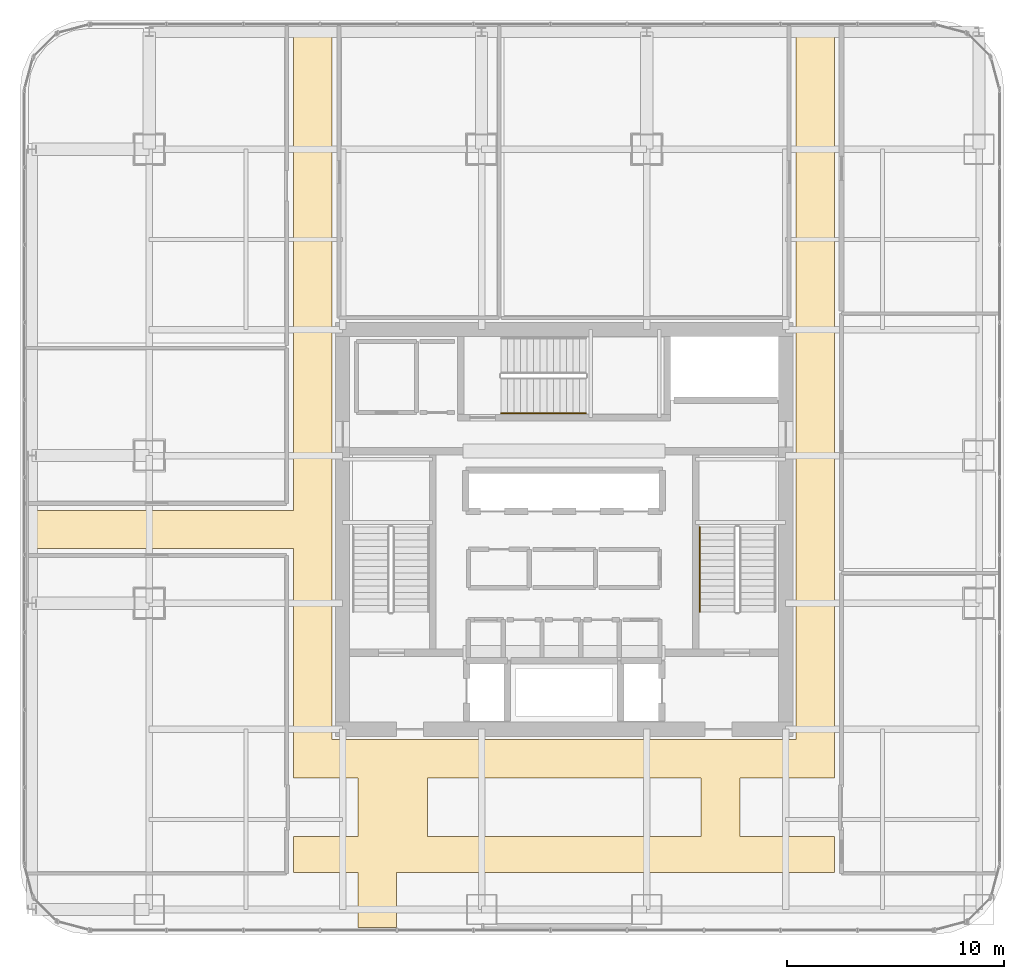
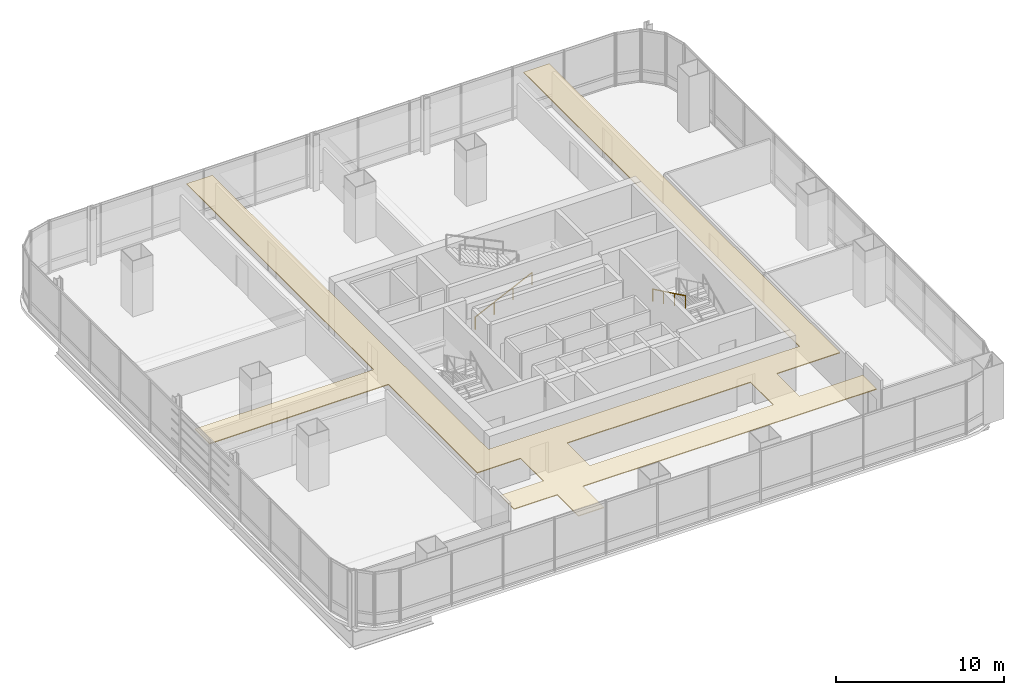
# One storey, part 36 of 38: 2 railings, 1 covering.
"""IFC4 building model written with IfcOpenShell, lengths in metres."""

from ifc_helpers import new_model, si_unit, direction, frame, origin, origin_2d, place, context, subcontext, project, spatial, polyline, circle, outline, extrude, material, layer, layer_set, type_object, element, save


model = new_model("IFC4")

# Units and contexts
model_context = context("Model", 3, precision=1e-05, world=origin(), true_north=direction((0.0, 1.0)))
body_context = subcontext(model_context, "Body", "Model", "MODEL_VIEW")
ifc_project = project(units=[si_unit("LENGTHUNIT", "METRE"), si_unit("AREAUNIT", "SQUARE_METRE"), si_unit("VOLUMEUNIT", "CUBIC_METRE"), si_unit("PLANEANGLEUNIT", "RADIAN"), si_unit("MASSUNIT", "GRAM", prefix="KILO")], contexts=[model_context])

# Site, building, storey
site_placement = place(None, origin())
site = spatial("IfcSite", under=ifc_project, at=site_placement, CompositionType="ELEMENT")
building_placement = place(site_placement, origin())
building = spatial("IfcBuilding", under=site, at=building_placement, Name="Punatoya Terracotta Tower", CompositionType="ELEMENT")
storey_placement = place(building_placement, frame((0.0, 0.0, 143.85009765625)))
storey = spatial("IfcBuildingStorey", under=building, at=storey_placement, Name="L33", CompositionType="ELEMENT", Elevation=143.85009765625)

# Covering
ifc_material_1 = material(Name="Acoustic Mineral Fibre Ceiling")
ifc_layer = layer(ifc_material_1, 0.06005859375)
ifc_layer_set = layer_set([ifc_layer], Name="Acoustic Mineral Fibre Ceiling")
covering_type = type_object("IfcCoveringType", Name="COV-CEIL-60", PredefinedType="CEILING", material=ifc_layer_set)
covering_placement = place(storey_placement, frame((0.0, 0.0, 3.219970703125)))
element("IfcCovering", 1, at=covering_placement, inside=storey, type_object=covering_type, Name="L33 Central Spine Circulation Corridor Acoustic Ceiling", PredefinedType="CEILING", context=body_context, shape_type="SweptSolid", body=[
    extrude(outline(polyline([(-7.719970703125, -15.800048828125), (12.449951171875, -15.800048828125), (12.449951171875, -14.14990234375), (8.10009765625, -14.14990234375), (8.10009765625, -11.449951171875), (12.449951171875, -11.449951171875), (12.449951171875, 23.1298828125), (10.679931640625, 23.1298828125), (10.679931640625, -9.679931640625), (-10.679931640625, -9.679931640625), (-10.679931640625, 23.1298828125), (-12.449951171875, 23.1298828125), (-12.449951171875, 0.8798828125), (-24.72998046875, 0.8798828125), (-24.72998046875, -0.8798828125), (-12.449951171875, -0.8798828125), (-12.449951171875, -11.449951171875), (-9.47998046875, -11.449951171875), (-9.47998046875, -14.14990234375), (-12.449951171875, -14.14990234375), (-12.449951171875, -15.800048828125), (-9.47998046875, -15.800048828125), (-9.47998046875, -18.330078125), (-7.719970703125, -18.330078125), (-7.719970703125, -15.800048828125)]), holes=[polyline([(6.300048828125, -14.14990234375), (-6.300048828125, -14.14990234375), (-6.300048828125, -11.449951171875), (6.300048828125, -11.449951171875), (6.300048828125, -14.14990234375)])]), origin(), (0.0, 0.0, 1.0), 0.059814453125),
])

# Railings
ifc_material_2 = material(Name="Steel S355", Category="steel")
railing_type = type_object("IfcRailingType", Name="RLG-HND-900", PredefinedType="HANDRAIL", material=ifc_material_2)
railing_1_placement = place(storey_placement, frame((6.25, 0.10009765625, 2.16943359375)))
element("IfcRailing", 2, at=railing_1_placement, inside=storey, type_object=railing_type, Name="L33 ST-2 stair handrail 2", PredefinedType="HANDRAIL", context=body_context, shape_type="SweptSolid", body=[
    extrude(circle(Radius=0.02392578125, at=origin_2d()), frame((0.0, 0.0, 0.8759765625), z_axis=(0.0, -0.900773802044, 0.434288564841), x_axis=(1.0, 0.0, 0.0)), (0.0, 0.0, 1.0), 4.329833984375),
    extrude(circle(Radius=0.02099609375, at=origin_2d()), origin(), (0.0, 0.0, 1.0), 0.851806640625),
    extrude(circle(Radius=0.02099609375, at=origin_2d()), frame((0.0, -1.300048828125, 0.626708984375)), (0.0, 0.0, 1.0), 0.851806640625),
    extrude(circle(Radius=0.02099609375, at=origin_2d()), frame((0.0, -2.60009765625, 1.253662109375)), (0.0, 0.0, 1.0), 0.851806640625),
    extrude(circle(Radius=0.02099609375, at=origin_2d()), frame((0.0, -3.900146484375, 1.88037109375)), (0.0, 0.0, 1.0), 0.851806640625),
])
railing_2_placement = place(storey_placement, frame((-2.89990234375, 5.35009765625, 0.14453125)))
element("IfcRailing", 3, at=railing_2_placement, inside=storey, type_object=railing_type, Name="L33 ST-3 stair handrail 1", PredefinedType="HANDRAIL", context=body_context, shape_type="SweptSolid", body=[
    extrude(circle(Radius=0.02392578125, at=origin_2d()), frame((0.0, 0.0, 0.8759765625), z_axis=(0.900763166376, 0.0, 0.434310623978), x_axis=(0.0, 1.0, 0.0)), (0.0, 0.0, 1.0), 4.32958984375),
    extrude(circle(Radius=0.02099609375, at=origin_2d()), origin(), (0.0, 0.0, 1.0), 0.851806640625),
    extrude(circle(Radius=0.02099609375, at=origin_2d()), frame((1.300048828125, 0.0, 0.626708984375)), (0.0, 0.0, 1.0), 0.851806640625),
    extrude(circle(Radius=0.02099609375, at=origin_2d()), frame((2.599853515625, 0.0, 1.253662109375)), (0.0, 0.0, 1.0), 0.851806640625),
    extrude(circle(Radius=0.02099609375, at=origin_2d()), frame((3.89990234375, 0.0, 1.88037109375)), (0.0, 0.0, 1.0), 0.851806640625),
])

save(model, "model.ifc")
